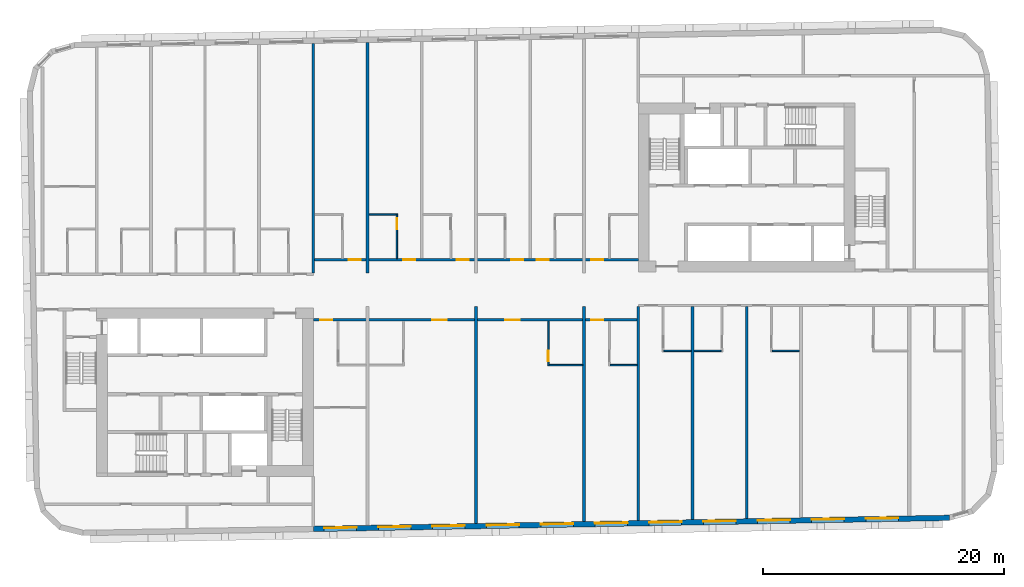
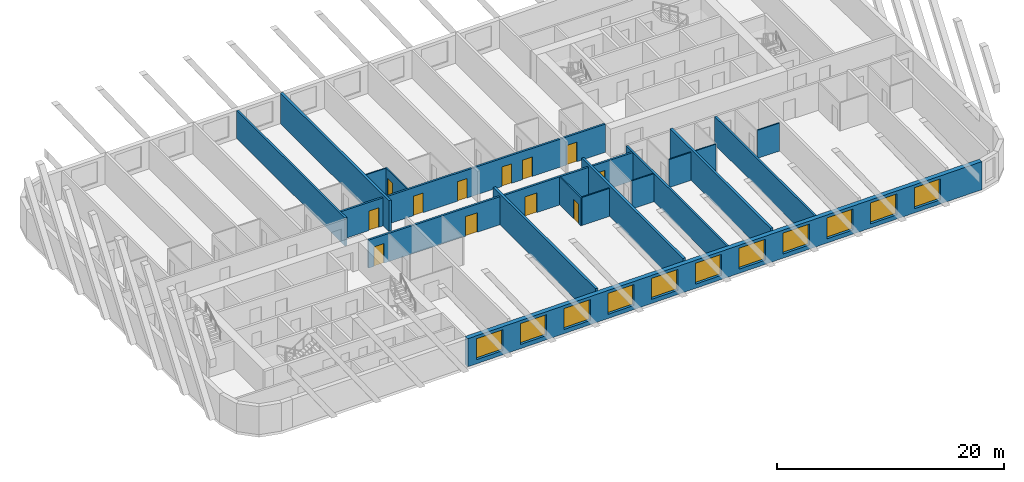
# One storey, part 4 of 13: 18 walls, 12 doors, 11 windows, 23 openings.
"""IFC4 building model written with IfcOpenShell, lengths in metres."""

import ifcopenshell
import ifcopenshell.guid

model = None  # the IFC model being written
_history = None  # IfcOwnerHistory: only IFC2X3 demands one
_inside = {}  # id of a spatial element -> (the spatial element, [elements in it])
_under = {}  # id of a project, library or spatial element -> (it, [spatial elements below it])
_declared = {}  # id of a project -> (the project, [libraries it declares])
_typed = {}  # id of a type object -> (the type object, [elements of that type])
_made_of = {}  # id of a material, layer set ... -> (it, [elements and type objects made of it])


def new_model(schema):
    """Start an empty IFC model of exactly this schema.

    Asked for "IFC4X3", IfcOpenShell would pick the latest addendum, in which some entities
    have other attributes; the version numbers below select the first issue.
    IFC2X3 requires an IfcOwnerHistory on every rooted entity: one is made here for all.
    """
    global model, _history
    if schema == "IFC4X3":
        model = ifcopenshell.file(schema_version=(4, 3, 0, 0))
    else:
        model = ifcopenshell.file(schema=schema)
    _inside.clear()
    _under.clear()
    _declared.clear()
    _typed.clear()
    _made_of.clear()
    _history = None
    if model.schema == "IFC2X3":
        org = make("IfcOrganization", Name="unknown")
        user = make(
            "IfcPersonAndOrganization",
            ThePerson=make("IfcPerson", FamilyName="unknown"),
            TheOrganization=org,
        )
        app = make(
            "IfcApplication",
            ApplicationDeveloper=org,
            Version="unknown",
            ApplicationFullName="unknown",
            ApplicationIdentifier="unknown",
        )
        _history = make(
            "IfcOwnerHistory",
            OwningUser=user,
            OwningApplication=app,
            ChangeAction="ADDED",
            CreationDate=0,
        )
    return model


def make(cls, **values):
    """One entity of the class cls with the attributes given. An attribute that is None is left unset."""
    return model.create_entity(
        cls, **{name: value for name, value in values.items() if value is not None}
    )


def rooted(cls, **values):
    """An entity with a GlobalId (a new one), such as an element, a storey or a relation."""
    return make(cls, GlobalId=ifcopenshell.guid.new(), OwnerHistory=_history, **values)


def si_unit(unit_type, name, prefix=None):
    """IfcSIUnit, for example si_unit("LENGTHUNIT", "METRE", prefix="MILLI")."""
    return make("IfcSIUnit", UnitType=unit_type, Prefix=prefix, Name=name)


def assignment(units):
    """IfcUnitAssignment: the units of a project."""
    return None if units is None else make("IfcUnitAssignment", Units=units)


def point(xyz):
    """IfcCartesianPoint."""
    return None if xyz is None else make("IfcCartesianPoint", Coordinates=xyz)


def direction(xyz):
    """IfcDirection."""
    return None if xyz is None else make("IfcDirection", DirectionRatios=xyz)


def frame(location, z_axis=None, x_axis=None):
    """IfcAxis2Placement3D, a coordinate frame: its origin and axes. An axis left out is left unset."""
    return make(
        "IfcAxis2Placement3D",
        Location=point(location),
        Axis=direction(z_axis),
        RefDirection=direction(x_axis),
    )


def frame_2d(location, x_axis=None):
    """IfcAxis2Placement2D, a coordinate frame in the plane: its origin and x axis."""
    return make(
        "IfcAxis2Placement2D", Location=point(location), RefDirection=direction(x_axis)
    )


def origin():
    """The frame at (0, 0, 0) with its axes left unset."""
    return frame((0.0, 0.0, 0.0))


def place(relative_to, where):
    """IfcLocalPlacement: puts the frame where relative to a parent placement (None: the world)."""
    return make(
        "IfcLocalPlacement", PlacementRelTo=relative_to, RelativePlacement=where
    )


def context(
    kind, dimensions, precision=None, world=None, true_north=None, identifier=None
):
    """IfcGeometricRepresentationContext, for example the 3D "Model" context."""
    return make(
        "IfcGeometricRepresentationContext",
        ContextIdentifier=identifier,
        ContextType=kind,
        CoordinateSpaceDimension=dimensions,
        Precision=precision,
        WorldCoordinateSystem=world,
        TrueNorth=true_north,
    )


def subcontext(parent, identifier, kind, view, scale=None):
    """IfcGeometricRepresentationSubContext, for example "Body" below "Model"."""
    return make(
        "IfcGeometricRepresentationSubContext",
        ContextIdentifier=identifier,
        ContextType=kind,
        ParentContext=parent,
        TargetScale=scale,
        TargetView=view,
    )


def project(units=None, contexts=None):
    """IfcProject with its units and contexts."""
    return rooted(
        "IfcProject",
        Name="project",
        RepresentationContexts=contexts,
        UnitsInContext=assignment(units),
    )


def spatial(cls, under=None, at=None, **own):
    """A site, building, storey or space (cls), placed at a placement, below another one or the project."""
    s = rooted(cls, ObjectPlacement=at, **own)
    if under is not None:
        _under.setdefault(under.id(), (under, []))[1].append(s)
    return s


def profile(cls, at=None, kind="AREA", **sizes):
    """A parametric profile (cls). Its sizes go by their IFC names, for example OverallWidth=200.0."""
    return make(cls, ProfileType=kind, Position=at, **sizes)


def rectangle(**sizes):
    """IfcRectangleProfileDef."""
    return profile("IfcRectangleProfileDef", **sizes)


def extrude(swept, where, along, depth):
    """IfcExtrudedAreaSolid: the profile swept, set in the frame where, extruded along a direction by depth."""
    return make(
        "IfcExtrudedAreaSolid",
        SweptArea=swept,
        Position=where,
        ExtrudedDirection=direction(along),
        Depth=depth,
    )


def shape(context_of_items, identifier, shape_type, items):
    """IfcShapeRepresentation: the items that make up one representation, for example the "Body"."""
    return make(
        "IfcShapeRepresentation",
        ContextOfItems=context_of_items,
        RepresentationIdentifier=identifier,
        RepresentationType=shape_type,
        Items=items,
    )


def material(Name=None, Category=None):
    """IfcMaterial."""
    return make("IfcMaterial", Name=Name, Category=Category)


def layer(
    of_material, thickness, ventilated=None, Name=None, Category=None, Priority=None
):
    """IfcMaterialLayer: one layer of a wall or slab, of a material (None: an air gap)."""
    return make(
        "IfcMaterialLayer",
        Material=of_material,
        LayerThickness=thickness,
        IsVentilated=ventilated,
        Name=Name,
        Category=Category,
        Priority=Priority,
    )


def layer_set(layers, Name=None):
    """IfcMaterialLayerSet."""
    return make("IfcMaterialLayerSet", MaterialLayers=layers, LayerSetName=Name)


def made_of(thing, what):
    """Note that an element or type object is made of a material, layer set ...; save() writes the relation."""
    if what is not None:
        _made_of.setdefault(what.id(), (what, []))[1].append(thing)
    return thing


def type_object(cls, material=None, **own):
    """A type object (cls), such as IfcWallType, which elements share."""
    return made_of(rooted(cls, **own), material)


def element(
    cls,
    number,
    at=None,
    inside=None,
    cuts=None,
    type_object=None,
    material=None,
    context=None,
    identifier="Body",
    shape_type=None,
    held_by="IfcProductDefinitionShape",
    body=None,
    shapes=None,
    **own,
):
    """One element of the class cls, such as IfcWall. Its Tag is "e" and its number.

    at: its placement. inside: the storey or other place that contains it. cuts: it is an
    opening in that element (IfcRelVoidsElement). A single representation is given by context,
    identifier, shape_type and body (its items); several are given by shapes. held_by: the class
    of the entity that holds the representations. save() writes the other relations.
    """
    e = rooted(cls, Tag="e%d" % number, ObjectPlacement=at, **own)
    if body is not None:
        shapes = [shape(context, identifier, shape_type, body)]
    if shapes is not None:
        e.Representation = make(held_by, Representations=shapes)
    if inside is not None:
        _inside.setdefault(inside.id(), (inside, []))[1].append(e)
    if cuts is not None:
        rooted(
            "IfcRelVoidsElement", RelatingBuildingElement=cuts, RelatedOpeningElement=e
        )
    if type_object is not None:
        _typed.setdefault(type_object.id(), (type_object, []))[1].append(e)
    return made_of(e, material)


def fill(opening, filler):
    """IfcRelFillsElement: the door or window that sits in an opening."""
    return rooted(
        "IfcRelFillsElement",
        RelatingOpeningElement=opening,
        RelatedBuildingElement=filler,
    )


def aggregate(whole, parts):
    """IfcRelAggregates: a whole, such as a stair, and the parts it consists of."""
    return rooted("IfcRelAggregates", RelatingObject=whole, RelatedObjects=parts)


def save(model, path):
    """Write the relations noted so far, then the file.

    IfcRelAggregates (storeys below a building ...), IfcRelContainedInSpatialStructure (elements
    in a storey), IfcRelDefinesByType, IfcRelAssociatesMaterial and IfcRelDeclares: one each for
    every whole, place, type object, material and project.
    """
    for whole, parts in _under.values():
        aggregate(whole, parts)
    for where, things in _inside.values():
        rooted(
            "IfcRelContainedInSpatialStructure",
            RelatedElements=things,
            RelatingStructure=where,
        )
    for kind, things in _typed.values():
        rooted("IfcRelDefinesByType", RelatedObjects=things, RelatingType=kind)
    for what, things in _made_of.values():
        rooted("IfcRelAssociatesMaterial", RelatedObjects=things, RelatingMaterial=what)
    for by, libraries in _declared.values():
        rooted("IfcRelDeclares", RelatingContext=by, RelatedDefinitions=libraries)
    model.write(path)


model = new_model("IFC4")

# Units and contexts
model_context = context("Model", 3, precision=1e-05, world=origin(), true_north=direction((0.0, 1.0)))
body_context = subcontext(model_context, "Body", "Model", "MODEL_VIEW")
ifc_project = project(units=[si_unit("LENGTHUNIT", "METRE"), si_unit("AREAUNIT", "SQUARE_METRE"), si_unit("VOLUMEUNIT", "CUBIC_METRE"), si_unit("PLANEANGLEUNIT", "RADIAN"), si_unit("MASSUNIT", "GRAM", prefix="KILO")], contexts=[model_context])

# Site, building, storey
site_placement = place(None, origin())
site = spatial("IfcSite", under=ifc_project, at=site_placement, CompositionType="ELEMENT")
building_placement = place(site_placement, origin())
building = spatial("IfcBuilding", under=site, at=building_placement, Name="Kajstack Hotel Tower", CompositionType="ELEMENT")
storey_placement = place(building_placement, frame((0.0, 0.0, 237.5)))
storey = spatial("IfcBuildingStorey", under=building, at=storey_placement, Name="L58", CompositionType="ELEMENT", Elevation=237.5)

# Wall, openings, doors
ifc_material_1 = material(Name="Gypsum board on steel studs, mineral wool", Category="steel")
ifc_layer_1 = layer(ifc_material_1, 0.199951171875)
ifc_layer_set_1 = layer_set([ifc_layer_1], Name="Corridor wall 200")
wall_type_1 = type_object("IfcWallType", Name="Corridor wall 200", PredefinedType="PARTITIONING", material=ifc_layer_set_1)
wall_1_placement = place(storey_placement, frame((-13.5, 2.5, 0.0), z_axis=(0.0, 0.0, 1.0), x_axis=(1.0, 0.0, 0.0)))
wall_1 = element("IfcWall", 1, at=wall_1_placement, inside=storey, type_object=wall_type_1, Name="G-wall-L58-004", PredefinedType="PARTITIONING", context=body_context, shape_type="SweptSolid", body=[
    extrude(rectangle(XDim=27.0, YDim=0.199951171875, at=frame_2d((13.5, 0.0))), origin(), (0.0, 0.0, 1.0), 3.02001953125),
])
opening_1_placement = place(wall_1_placement, frame((2.925048828125, 0.0, 0.0)))
opening_1 = element("IfcOpeningElement", 2, at=opening_1_placement, cuts=wall_1, Name="Opening 58012", PredefinedType="OPENING", context=body_context, shape_type="SweptSolid", body=[
    extrude(rectangle(XDim=1.0, YDim=2.10009765625, at=frame_2d((0.5, 1.050048828125))), frame((0.0, 0.10986328125, 0.0), z_axis=(0.0, -1.0, 0.0), x_axis=(1.0, 0.0, 0.0)), (0.0, 0.0, 1.0), 0.219970703125),
])
opening_2_placement = place(wall_1_placement, frame((7.449951171875, 0.0, 0.0)))
opening_2 = element("IfcOpeningElement", 3, at=opening_2_placement, cuts=wall_1, Name="Opening 58014", PredefinedType="OPENING", context=body_context, shape_type="SweptSolid", body=[
    extrude(rectangle(XDim=1.0, YDim=2.10009765625, at=frame_2d((0.5, 1.050048828125))), frame((0.0, 0.10986328125, 0.0), z_axis=(0.0, -1.0, 0.0), x_axis=(1.0, 0.0, 0.0)), (0.0, 0.0, 1.0), 0.219970703125),
])
opening_3_placement = place(wall_1_placement, frame((11.925048828125, 0.0, 0.0)))
opening_3 = element("IfcOpeningElement", 4, at=opening_3_placement, cuts=wall_1, Name="Opening 58016", PredefinedType="OPENING", context=body_context, shape_type="SweptSolid", body=[
    extrude(rectangle(XDim=1.0, YDim=2.10009765625, at=frame_2d((0.5, 1.050048828125))), frame((0.0, 0.10986328125, 0.0), z_axis=(0.0, -1.0, 0.0), x_axis=(1.0, 0.0, 0.0)), (0.0, 0.0, 1.0), 0.219970703125),
])
opening_4_placement = place(wall_1_placement, frame((16.449951171875, 0.0, 0.0)))
opening_4 = element("IfcOpeningElement", 5, at=opening_4_placement, cuts=wall_1, Name="Opening 58018", PredefinedType="OPENING", context=body_context, shape_type="SweptSolid", body=[
    extrude(rectangle(XDim=1.0, YDim=2.10009765625, at=frame_2d((0.5, 1.050048828125))), frame((0.0, 0.10986328125, 0.0), z_axis=(0.0, -1.0, 0.0), x_axis=(1.0, 0.0, 0.0)), (0.0, 0.0, 1.0), 0.219970703125),
])
opening_5_placement = place(wall_1_placement, frame((18.550048828125, 0.0, 0.0)))
opening_5 = element("IfcOpeningElement", 6, at=opening_5_placement, cuts=wall_1, Name="Opening 58020", PredefinedType="OPENING", context=body_context, shape_type="SweptSolid", body=[
    extrude(rectangle(XDim=1.0, YDim=2.10009765625, at=frame_2d((0.5, 1.050048828125))), frame((0.0, 0.10986328125, 0.0), z_axis=(0.0, -1.0, 0.0), x_axis=(1.0, 0.0, 0.0)), (0.0, 0.0, 1.0), 0.219970703125),
])
opening_6_placement = place(wall_1_placement, frame((23.074951171875, 0.0, 0.0)))
opening_6 = element("IfcOpeningElement", 7, at=opening_6_placement, cuts=wall_1, Name="Opening 58022", PredefinedType="OPENING", context=body_context, shape_type="SweptSolid", body=[
    extrude(rectangle(XDim=1.0, YDim=2.10009765625, at=frame_2d((0.5, 1.050048828125))), frame((0.0, 0.10986328125, 0.0), z_axis=(0.0, -1.0, 0.0), x_axis=(1.0, 0.0, 0.0)), (0.0, 0.0, 1.0), 0.219970703125),
])
ifc_material_2 = material(Name="Oak veneer on timber core, fire-rated leaf", Category="wood")
door_type_1 = type_object("IfcDoorType", Name="Flat entrance door 1000", OperationType="SINGLE_SWING_LEFT", PredefinedType="DOOR", material=ifc_material_2)
door_1_placement = place(opening_1_placement, origin())
door_1 = element("IfcDoor", 8, at=door_1_placement, inside=storey, type_object=door_type_1, Name="G-door-L58-12", OperationType="SINGLE_SWING_LEFT", OverallHeight=2.10009765625, OverallWidth=1.0, PredefinedType="DOOR", context=body_context, shape_type="SweptSolid", body=[
    extrude(rectangle(XDim=1.0, YDim=2.10009765625, at=frame_2d((0.5, 1.050048828125))), frame((0.0, 0.02490234375, 0.0), z_axis=(0.0, -1.0, 0.0), x_axis=(1.0, 0.0, 0.0)), (0.0, 0.0, 1.0), 0.050048828125),
])
fill(opening_1, door_1)
door_2_placement = place(opening_2_placement, origin())
door_2 = element("IfcDoor", 9, at=door_2_placement, inside=storey, type_object=door_type_1, Name="G-door-L58-14", OperationType="SINGLE_SWING_RIGHT", OverallHeight=2.10009765625, OverallWidth=1.0, PredefinedType="DOOR", context=body_context, shape_type="SweptSolid", body=[
    extrude(rectangle(XDim=1.0, YDim=2.10009765625, at=frame_2d((0.5, 1.050048828125))), frame((0.0, 0.02490234375, 0.0), z_axis=(0.0, -1.0, 0.0), x_axis=(1.0, 0.0, 0.0)), (0.0, 0.0, 1.0), 0.050048828125),
])
fill(opening_2, door_2)
door_3_placement = place(opening_3_placement, origin())
door_3 = element("IfcDoor", 10, at=door_3_placement, inside=storey, type_object=door_type_1, Name="G-door-L58-16", OperationType="SINGLE_SWING_LEFT", OverallHeight=2.10009765625, OverallWidth=1.0, PredefinedType="DOOR", context=body_context, shape_type="SweptSolid", body=[
    extrude(rectangle(XDim=1.0, YDim=2.10009765625, at=frame_2d((0.5, 1.050048828125))), frame((0.0, 0.02490234375, 0.0), z_axis=(0.0, -1.0, 0.0), x_axis=(1.0, 0.0, 0.0)), (0.0, 0.0, 1.0), 0.050048828125),
])
fill(opening_3, door_3)
door_4_placement = place(opening_4_placement, origin())
door_4 = element("IfcDoor", 11, at=door_4_placement, inside=storey, type_object=door_type_1, Name="G-door-L58-18", OperationType="SINGLE_SWING_RIGHT", OverallHeight=2.10009765625, OverallWidth=1.0, PredefinedType="DOOR", context=body_context, shape_type="SweptSolid", body=[
    extrude(rectangle(XDim=1.0, YDim=2.10009765625, at=frame_2d((0.5, 1.050048828125))), frame((0.0, 0.02490234375, 0.0), z_axis=(0.0, -1.0, 0.0), x_axis=(1.0, 0.0, 0.0)), (0.0, 0.0, 1.0), 0.050048828125),
])
fill(opening_4, door_4)
door_5_placement = place(opening_5_placement, origin())
door_5 = element("IfcDoor", 12, at=door_5_placement, inside=storey, type_object=door_type_1, Name="G-door-L58-20", OperationType="SINGLE_SWING_LEFT", OverallHeight=2.10009765625, OverallWidth=1.0, PredefinedType="DOOR", context=body_context, shape_type="SweptSolid", body=[
    extrude(rectangle(XDim=1.0, YDim=2.10009765625, at=frame_2d((0.5, 1.050048828125))), frame((0.0, 0.02490234375, 0.0), z_axis=(0.0, -1.0, 0.0), x_axis=(1.0, 0.0, 0.0)), (0.0, 0.0, 1.0), 0.050048828125),
])
fill(opening_5, door_5)
door_6_placement = place(opening_6_placement, origin())
door_6 = element("IfcDoor", 13, at=door_6_placement, inside=storey, type_object=door_type_1, Name="G-door-L58-22", OperationType="SINGLE_SWING_LEFT", OverallHeight=2.10009765625, OverallWidth=1.0, PredefinedType="DOOR", context=body_context, shape_type="SweptSolid", body=[
    extrude(rectangle(XDim=1.0, YDim=2.10009765625, at=frame_2d((0.5, 1.050048828125))), frame((0.0, 0.02490234375, 0.0), z_axis=(0.0, -1.0, 0.0), x_axis=(1.0, 0.0, 0.0)), (0.0, 0.0, 1.0), 0.050048828125),
])
fill(opening_6, door_6)

wall_2_placement = place(storey_placement, frame((-13.5, -2.5, 0.0), z_axis=(0.0, 0.0, 1.0), x_axis=(1.0, 0.0, 0.0)))
wall_2 = element("IfcWall", 14, at=wall_2_placement, inside=storey, type_object=wall_type_1, Name="G-wall-L58-033", PredefinedType="PARTITIONING", context=body_context, shape_type="SweptSolid", body=[
    extrude(rectangle(XDim=27.0, YDim=0.199951171875, at=frame_2d((13.5, 0.0))), origin(), (0.0, 0.0, 1.0), 3.02001953125),
])
opening_7_placement = place(wall_2_placement, frame((0.574951171875, 0.0, 0.0)))
opening_7 = element("IfcOpeningElement", 15, at=opening_7_placement, cuts=wall_2, Name="Opening 58024", PredefinedType="OPENING", context=body_context, shape_type="SweptSolid", body=[
    extrude(rectangle(XDim=1.0, YDim=2.10009765625, at=frame_2d((0.5, 1.050048828125))), frame((0.0, 0.10986328125, 0.0), z_axis=(0.0, -1.0, 0.0), x_axis=(1.0, 0.0, 0.0)), (0.0, 0.0, 1.0), 0.219970703125),
])
opening_8_placement = place(wall_2_placement, frame((9.863037109375, 0.0, 0.0)))
opening_8 = element("IfcOpeningElement", 16, at=opening_8_placement, cuts=wall_2, Name="Opening 58027", PredefinedType="OPENING", context=body_context, shape_type="SweptSolid", body=[
    extrude(rectangle(XDim=1.199951171875, YDim=2.10009765625, at=frame_2d((0.60009765625, 1.050048828125))), frame((0.0, 0.10986328125, 0.0), z_axis=(0.0, -1.0, 0.0), x_axis=(1.0, 0.0, 0.0)), (0.0, 0.0, 1.0), 0.219970703125),
])
opening_9_placement = place(wall_2_placement, frame((15.93798828125, 0.0, 0.0)))
opening_9 = element("IfcOpeningElement", 17, at=opening_9_placement, cuts=wall_2, Name="Opening 58029", PredefinedType="OPENING", context=body_context, shape_type="SweptSolid", body=[
    extrude(rectangle(XDim=1.199951171875, YDim=2.10009765625, at=frame_2d((0.60009765625, 1.050048828125))), frame((0.0, 0.10986328125, 0.0), z_axis=(0.0, -1.0, 0.0), x_axis=(1.0, 0.0, 0.0)), (0.0, 0.0, 1.0), 0.219970703125),
])
opening_10_placement = place(wall_2_placement, frame((23.074951171875, 0.0, 0.0)))
opening_10 = element("IfcOpeningElement", 18, at=opening_10_placement, cuts=wall_2, Name="Opening 58031", PredefinedType="OPENING", context=body_context, shape_type="SweptSolid", body=[
    extrude(rectangle(XDim=1.0, YDim=2.10009765625, at=frame_2d((0.5, 1.050048828125))), frame((0.0, 0.10986328125, 0.0), z_axis=(0.0, -1.0, 0.0), x_axis=(1.0, 0.0, 0.0)), (0.0, 0.0, 1.0), 0.219970703125),
])
door_7_placement = place(opening_7_placement, origin())
door_7 = element("IfcDoor", 19, at=door_7_placement, inside=storey, type_object=door_type_1, Name="G-door-L58-24", OperationType="SINGLE_SWING_RIGHT", OverallHeight=2.10009765625, OverallWidth=1.0, PredefinedType="DOOR", context=body_context, shape_type="SweptSolid", body=[
    extrude(rectangle(XDim=1.0, YDim=2.10009765625, at=frame_2d((0.5, 1.050048828125))), frame((0.0, 0.02490234375, 0.0), z_axis=(0.0, -1.0, 0.0), x_axis=(1.0, 0.0, 0.0)), (0.0, 0.0, 1.0), 0.050048828125),
])
fill(opening_7, door_7)
door_8_placement = place(opening_10_placement, origin())
door_8 = element("IfcDoor", 20, at=door_8_placement, inside=storey, type_object=door_type_1, Name="G-door-L58-31", OperationType="SINGLE_SWING_RIGHT", OverallHeight=2.10009765625, OverallWidth=1.0, PredefinedType="DOOR", context=body_context, shape_type="SweptSolid", body=[
    extrude(rectangle(XDim=1.0, YDim=2.10009765625, at=frame_2d((0.5, 1.050048828125))), frame((0.0, 0.02490234375, 0.0), z_axis=(0.0, -1.0, 0.0), x_axis=(1.0, 0.0, 0.0)), (0.0, 0.0, 1.0), 0.050048828125),
])
fill(opening_10, door_8)
door_type_2 = type_object("IfcDoorType", Name="Flat entrance door 1200", OperationType="SINGLE_SWING_LEFT", PredefinedType="DOOR", material=ifc_material_2)
door_9_placement = place(opening_8_placement, origin())
door_9 = element("IfcDoor", 21, at=door_9_placement, inside=storey, type_object=door_type_2, Name="G-door-L58-27", OperationType="SINGLE_SWING_LEFT", OverallHeight=2.10009765625, OverallWidth=1.199951171875, PredefinedType="DOOR", context=body_context, shape_type="SweptSolid", body=[
    extrude(rectangle(XDim=1.199951171875, YDim=2.10009765625, at=frame_2d((0.60009765625, 1.050048828125))), frame((0.0, 0.02490234375, 0.0), z_axis=(0.0, -1.0, 0.0), x_axis=(1.0, 0.0, 0.0)), (0.0, 0.0, 1.0), 0.050048828125),
])
fill(opening_8, door_9)
door_10_placement = place(opening_9_placement, origin())
door_10 = element("IfcDoor", 22, at=door_10_placement, inside=storey, type_object=door_type_2, Name="G-door-L58-29", OperationType="SINGLE_SWING_LEFT", OverallHeight=2.10009765625, OverallWidth=1.199951171875, PredefinedType="DOOR", context=body_context, shape_type="SweptSolid", body=[
    extrude(rectangle(XDim=1.199951171875, YDim=2.10009765625, at=frame_2d((0.60009765625, 1.050048828125))), frame((0.0, 0.02490234375, 0.0), z_axis=(0.0, -1.0, 0.0), x_axis=(1.0, 0.0, 0.0)), (0.0, 0.0, 1.0), 0.050048828125),
])
fill(opening_9, door_10)

# Walls
ifc_material_3 = material(Name="Twin-frame gypsum board on steel studs, mineral wool", Category="steel")
ifc_layer_2 = layer(ifc_material_3, 0.199951171875)
ifc_layer_set_2 = layer_set([ifc_layer_2], Name="Demising wall 200")
wall_type_2 = type_object("IfcWallType", Name="Demising wall 200", PredefinedType="PARTITIONING", material=ifc_layer_set_2)
wall_3_placement = place(storey_placement, frame((-13.5, 1.39990234375, 0.0), z_axis=(0.0, 0.0, 1.0), x_axis=(0.0, 1.0, 0.0)))
element("IfcWall", 23, at=wall_3_placement, inside=storey, type_object=wall_type_2, Name="G-wall-L58-016", PredefinedType="PARTITIONING", context=body_context, shape_type="SweptSolid", body=[
    extrude(rectangle(XDim=19.065185546875, YDim=0.199951171875, at=frame_2d((9.53271484375, 0.0))), origin(), (0.0, 0.0, 1.0), 3.02001953125),
])
wall_4_placement = place(storey_placement, frame((13.5, -19.169921875, 0.0), z_axis=(0.0, 0.0, 1.0), x_axis=(0.0, 1.0, 0.0)))
element("IfcWall", 24, at=wall_4_placement, inside=storey, type_object=wall_type_2, Name="G-wall-L58-042", PredefinedType="PARTITIONING", context=body_context, shape_type="SweptSolid", body=[
    extrude(rectangle(XDim=17.77001953125, YDim=0.199951171875, at=frame_2d((8.885009765625, 0.0))), origin(), (0.0, 0.0, 1.0), 3.02001953125),
])
wall_5_placement = place(storey_placement, frame((22.5, -19.012939453125, 0.0), z_axis=(0.0, 0.0, 1.0), x_axis=(0.0, 1.0, 0.0)))
element("IfcWall", 25, at=wall_5_placement, inside=storey, type_object=wall_type_2, Name="G-wall-L58-047", PredefinedType="PARTITIONING", context=body_context, shape_type="SweptSolid", body=[
    extrude(rectangle(XDim=17.613037109375, YDim=0.199951171875, at=frame_2d((8.806640625, 0.0))), origin(), (0.0, 0.0, 1.0), 3.02001953125),
])

# Wall, openings, windows
ifc_material_4 = material(Name="Terracotta-faced brick masonry", Category="masonry")
ifc_layer_3 = layer(ifc_material_4, 0.449951171875)
ifc_layer_set_3 = layer_set([ifc_layer_3], Name="EW-TERRA")
wall_type_3 = type_object("IfcWallType", Name="EW-TERRA", PredefinedType="SOLIDWALL", material=ifc_layer_set_3)
wall_6_placement = place(storey_placement, frame((-13.50390625, -19.8662109375, 0.0), z_axis=(0.0, 0.0, 1.0), x_axis=(0.999847672978, 0.017453676992, 0.0)))
wall_6 = element("IfcWall", 26, at=wall_6_placement, inside=storey, type_object=wall_type_3, Name="E-wall-L58-04-02", PredefinedType="SOLIDWALL", context=body_context, shape_type="SweptSolid", body=[
    extrude(rectangle(XDim=52.8603515625, YDim=0.449951171875, at=frame_2d((26.43017578125, 0.0))), origin(), (0.0, 0.0, 1.0), 3.02001953125),
])
opening_11_placement = place(wall_6_placement, frame((0.900390625, 0.0, 0.449951171875)))
opening_11 = element("IfcOpeningElement", 27, at=opening_11_placement, cuts=wall_6, Name="Opening W1", PredefinedType="OPENING", context=body_context, shape_type="SweptSolid", body=[
    extrude(rectangle(XDim=2.699951171875, YDim=2.25, at=frame_2d((1.35009765625, 1.125))), frame((0.0, 0.23486328125, 0.0), z_axis=(0.0, -1.0, 0.0), x_axis=(1.0, 0.0, 0.0)), (0.0, 0.0, 1.0), 0.469970703125),
])
opening_12_placement = place(wall_6_placement, frame((5.40087890625, 0.0, 0.449951171875)))
opening_12 = element("IfcOpeningElement", 28, at=opening_12_placement, cuts=wall_6, Name="Opening W1", PredefinedType="OPENING", context=body_context, shape_type="SweptSolid", body=[
    extrude(rectangle(XDim=2.699951171875, YDim=2.25, at=frame_2d((1.35009765625, 1.125))), frame((0.0, 0.23486328125, 0.0), z_axis=(0.0, -1.0, 0.0), x_axis=(1.0, 0.0, 0.0)), (0.0, 0.0, 1.0), 0.469970703125),
])
opening_13_placement = place(wall_6_placement, frame((9.901611328125, 0.0, 0.449951171875)))
opening_13 = element("IfcOpeningElement", 29, at=opening_13_placement, cuts=wall_6, Name="Opening W1", PredefinedType="OPENING", context=body_context, shape_type="SweptSolid", body=[
    extrude(rectangle(XDim=2.699951171875, YDim=2.25, at=frame_2d((1.35009765625, 1.125))), frame((0.0, 0.23486328125, 0.0), z_axis=(0.0, -1.0, 0.0), x_axis=(1.0, 0.0, 0.0)), (0.0, 0.0, 1.0), 0.469970703125),
])
opening_14_placement = place(wall_6_placement, frame((14.40234375, 0.0, 0.449951171875)))
opening_14 = element("IfcOpeningElement", 30, at=opening_14_placement, cuts=wall_6, Name="Opening W1", PredefinedType="OPENING", context=body_context, shape_type="SweptSolid", body=[
    extrude(rectangle(XDim=2.699951171875, YDim=2.25, at=frame_2d((1.35009765625, 1.125))), frame((0.0, 0.23486328125, 0.0), z_axis=(0.0, -1.0, 0.0), x_axis=(1.0, 0.0, 0.0)), (0.0, 0.0, 1.0), 0.469970703125),
])
opening_15_placement = place(wall_6_placement, frame((18.903076171875, 0.0, 0.449951171875)))
opening_15 = element("IfcOpeningElement", 31, at=opening_15_placement, cuts=wall_6, Name="Opening W1", PredefinedType="OPENING", context=body_context, shape_type="SweptSolid", body=[
    extrude(rectangle(XDim=2.699951171875, YDim=2.25, at=frame_2d((1.35009765625, 1.125))), frame((0.0, 0.23486328125, 0.0), z_axis=(0.0, -1.0, 0.0), x_axis=(1.0, 0.0, 0.0)), (0.0, 0.0, 1.0), 0.469970703125),
])
opening_16_placement = place(wall_6_placement, frame((23.40380859375, 0.0, 0.449951171875)))
opening_16 = element("IfcOpeningElement", 32, at=opening_16_placement, cuts=wall_6, Name="Opening W1", PredefinedType="OPENING", context=body_context, shape_type="SweptSolid", body=[
    extrude(rectangle(XDim=2.699951171875, YDim=2.25, at=frame_2d((1.35009765625, 1.125))), frame((0.0, 0.23486328125, 0.0), z_axis=(0.0, -1.0, 0.0), x_axis=(1.0, 0.0, 0.0)), (0.0, 0.0, 1.0), 0.469970703125),
])
opening_17_placement = place(wall_6_placement, frame((27.904296875, 0.0, 0.449951171875)))
opening_17 = element("IfcOpeningElement", 33, at=opening_17_placement, cuts=wall_6, Name="Opening W1", PredefinedType="OPENING", context=body_context, shape_type="SweptSolid", body=[
    extrude(rectangle(XDim=2.699951171875, YDim=2.25, at=frame_2d((1.35009765625, 1.125))), frame((0.0, 0.23486328125, 0.0), z_axis=(0.0, -1.0, 0.0), x_axis=(1.0, 0.0, 0.0)), (0.0, 0.0, 1.0), 0.469970703125),
])
opening_18_placement = place(wall_6_placement, frame((32.405029296875, 0.0, 0.449951171875)))
opening_18 = element("IfcOpeningElement", 34, at=opening_18_placement, cuts=wall_6, Name="Opening W1", PredefinedType="OPENING", context=body_context, shape_type="SweptSolid", body=[
    extrude(rectangle(XDim=2.699951171875, YDim=2.25, at=frame_2d((1.35009765625, 1.125))), frame((0.0, 0.23486328125, 0.0), z_axis=(0.0, -1.0, 0.0), x_axis=(1.0, 0.0, 0.0)), (0.0, 0.0, 1.0), 0.469970703125),
])
opening_19_placement = place(wall_6_placement, frame((36.90576171875, 0.0, 0.449951171875)))
opening_19 = element("IfcOpeningElement", 35, at=opening_19_placement, cuts=wall_6, Name="Opening W1", PredefinedType="OPENING", context=body_context, shape_type="SweptSolid", body=[
    extrude(rectangle(XDim=2.699951171875, YDim=2.25, at=frame_2d((1.35009765625, 1.125))), frame((0.0, 0.23486328125, 0.0), z_axis=(0.0, -1.0, 0.0), x_axis=(1.0, 0.0, 0.0)), (0.0, 0.0, 1.0), 0.469970703125),
])
opening_20_placement = place(wall_6_placement, frame((41.406494140625, 0.0, 0.449951171875)))
opening_20 = element("IfcOpeningElement", 36, at=opening_20_placement, cuts=wall_6, Name="Opening W1", PredefinedType="OPENING", context=body_context, shape_type="SweptSolid", body=[
    extrude(rectangle(XDim=2.699951171875, YDim=2.25, at=frame_2d((1.35009765625, 1.125))), frame((0.0, 0.23486328125, 0.0), z_axis=(0.0, -1.0, 0.0), x_axis=(1.0, 0.0, 0.0)), (0.0, 0.0, 1.0), 0.469970703125),
])
opening_21_placement = place(wall_6_placement, frame((45.9072265625, 0.0, 0.449951171875)))
opening_21 = element("IfcOpeningElement", 37, at=opening_21_placement, cuts=wall_6, Name="Opening W1", PredefinedType="OPENING", context=body_context, shape_type="SweptSolid", body=[
    extrude(rectangle(XDim=2.699951171875, YDim=2.25, at=frame_2d((1.35009765625, 1.125))), frame((0.0, 0.23486328125, 0.0), z_axis=(0.0, -1.0, 0.0), x_axis=(1.0, 0.0, 0.0)), (0.0, 0.0, 1.0), 0.469970703125),
])
ifc_material_5 = material(Name="Timber-aluminium window, triple glazed", Category="wood")
window_type = type_object("IfcWindowType", Name="WG1", PartitioningType="SINGLE_PANEL", PredefinedType="WINDOW", material=ifc_material_5)
window_1_placement = place(opening_11_placement, origin())
window_1 = element("IfcWindow", 38, at=window_1_placement, inside=storey, type_object=window_type, Name="Window W1 L58-04", OverallHeight=2.25, OverallWidth=2.699951171875, PartitioningType="SINGLE_PANEL", PredefinedType="WINDOW", context=body_context, shape_type="SweptSolid", body=[
    extrude(rectangle(XDim=2.699951171875, YDim=2.25, at=frame_2d((1.35009765625, 1.125))), frame((0.0, 0.090087890625, 0.0), z_axis=(0.0, -1.0, 0.0), x_axis=(1.0, 0.0, 0.0)), (0.0, 0.0, 1.0), 0.06005859375),
])
fill(opening_11, window_1)
window_2_placement = place(opening_12_placement, origin())
window_2 = element("IfcWindow", 39, at=window_2_placement, inside=storey, type_object=window_type, Name="Window W1 L58-04", OverallHeight=2.25, OverallWidth=2.699951171875, PartitioningType="SINGLE_PANEL", PredefinedType="WINDOW", context=body_context, shape_type="SweptSolid", body=[
    extrude(rectangle(XDim=2.699951171875, YDim=2.25, at=frame_2d((1.35009765625, 1.125))), frame((0.0, 0.090087890625, 0.0), z_axis=(0.0, -1.0, 0.0), x_axis=(1.0, 0.0, 0.0)), (0.0, 0.0, 1.0), 0.06005859375),
])
fill(opening_12, window_2)
window_3_placement = place(opening_13_placement, origin())
window_3 = element("IfcWindow", 40, at=window_3_placement, inside=storey, type_object=window_type, Name="Window W1 L58-04", OverallHeight=2.25, OverallWidth=2.699951171875, PartitioningType="SINGLE_PANEL", PredefinedType="WINDOW", context=body_context, shape_type="SweptSolid", body=[
    extrude(rectangle(XDim=2.699951171875, YDim=2.25, at=frame_2d((1.35009765625, 1.125))), frame((0.0, 0.090087890625, 0.0), z_axis=(0.0, -1.0, 0.0), x_axis=(1.0, 0.0, 0.0)), (0.0, 0.0, 1.0), 0.06005859375),
])
fill(opening_13, window_3)
window_4_placement = place(opening_14_placement, origin())
window_4 = element("IfcWindow", 41, at=window_4_placement, inside=storey, type_object=window_type, Name="Window W1 L58-04", OverallHeight=2.25, OverallWidth=2.699951171875, PartitioningType="SINGLE_PANEL", PredefinedType="WINDOW", context=body_context, shape_type="SweptSolid", body=[
    extrude(rectangle(XDim=2.699951171875, YDim=2.25, at=frame_2d((1.35009765625, 1.125))), frame((0.0, 0.090087890625, 0.0), z_axis=(0.0, -1.0, 0.0), x_axis=(1.0, 0.0, 0.0)), (0.0, 0.0, 1.0), 0.06005859375),
])
fill(opening_14, window_4)
window_5_placement = place(opening_15_placement, origin())
window_5 = element("IfcWindow", 42, at=window_5_placement, inside=storey, type_object=window_type, Name="Window W1 L58-04", OverallHeight=2.25, OverallWidth=2.699951171875, PartitioningType="SINGLE_PANEL", PredefinedType="WINDOW", context=body_context, shape_type="SweptSolid", body=[
    extrude(rectangle(XDim=2.699951171875, YDim=2.25, at=frame_2d((1.35009765625, 1.125))), frame((0.0, 0.090087890625, 0.0), z_axis=(0.0, -1.0, 0.0), x_axis=(1.0, 0.0, 0.0)), (0.0, 0.0, 1.0), 0.06005859375),
])
fill(opening_15, window_5)
window_6_placement = place(opening_16_placement, origin())
window_6 = element("IfcWindow", 43, at=window_6_placement, inside=storey, type_object=window_type, Name="Window W1 L58-04", OverallHeight=2.25, OverallWidth=2.699951171875, PartitioningType="SINGLE_PANEL", PredefinedType="WINDOW", context=body_context, shape_type="SweptSolid", body=[
    extrude(rectangle(XDim=2.699951171875, YDim=2.25, at=frame_2d((1.35009765625, 1.125))), frame((0.0, 0.090087890625, 0.0), z_axis=(0.0, -1.0, 0.0), x_axis=(1.0, 0.0, 0.0)), (0.0, 0.0, 1.0), 0.06005859375),
])
fill(opening_16, window_6)
window_7_placement = place(opening_17_placement, origin())
window_7 = element("IfcWindow", 44, at=window_7_placement, inside=storey, type_object=window_type, Name="Window W1 L58-04", OverallHeight=2.25, OverallWidth=2.699951171875, PartitioningType="SINGLE_PANEL", PredefinedType="WINDOW", context=body_context, shape_type="SweptSolid", body=[
    extrude(rectangle(XDim=2.699951171875, YDim=2.25, at=frame_2d((1.35009765625, 1.125))), frame((0.0, 0.090087890625, 0.0), z_axis=(0.0, -1.0, 0.0), x_axis=(1.0, 0.0, 0.0)), (0.0, 0.0, 1.0), 0.06005859375),
])
fill(opening_17, window_7)
window_8_placement = place(opening_18_placement, origin())
window_8 = element("IfcWindow", 45, at=window_8_placement, inside=storey, type_object=window_type, Name="Window W1 L58-04", OverallHeight=2.25, OverallWidth=2.699951171875, PartitioningType="SINGLE_PANEL", PredefinedType="WINDOW", context=body_context, shape_type="SweptSolid", body=[
    extrude(rectangle(XDim=2.699951171875, YDim=2.25, at=frame_2d((1.35009765625, 1.125))), frame((0.0, 0.090087890625, 0.0), z_axis=(0.0, -1.0, 0.0), x_axis=(1.0, 0.0, 0.0)), (0.0, 0.0, 1.0), 0.06005859375),
])
fill(opening_18, window_8)
window_9_placement = place(opening_19_placement, origin())
window_9 = element("IfcWindow", 46, at=window_9_placement, inside=storey, type_object=window_type, Name="Window W1 L58-04", OverallHeight=2.25, OverallWidth=2.699951171875, PartitioningType="SINGLE_PANEL", PredefinedType="WINDOW", context=body_context, shape_type="SweptSolid", body=[
    extrude(rectangle(XDim=2.699951171875, YDim=2.25, at=frame_2d((1.35009765625, 1.125))), frame((0.0, 0.090087890625, 0.0), z_axis=(0.0, -1.0, 0.0), x_axis=(1.0, 0.0, 0.0)), (0.0, 0.0, 1.0), 0.06005859375),
])
fill(opening_19, window_9)
window_10_placement = place(opening_20_placement, origin())
window_10 = element("IfcWindow", 47, at=window_10_placement, inside=storey, type_object=window_type, Name="Window W1 L58-04", OverallHeight=2.25, OverallWidth=2.699951171875, PartitioningType="SINGLE_PANEL", PredefinedType="WINDOW", context=body_context, shape_type="SweptSolid", body=[
    extrude(rectangle(XDim=2.699951171875, YDim=2.25, at=frame_2d((1.35009765625, 1.125))), frame((0.0, 0.090087890625, 0.0), z_axis=(0.0, -1.0, 0.0), x_axis=(1.0, 0.0, 0.0)), (0.0, 0.0, 1.0), 0.06005859375),
])
fill(opening_20, window_10)
window_11_placement = place(opening_21_placement, origin())
window_11 = element("IfcWindow", 48, at=window_11_placement, inside=storey, type_object=window_type, Name="Window W1 L58-04", OverallHeight=2.25, OverallWidth=2.699951171875, PartitioningType="SINGLE_PANEL", PredefinedType="WINDOW", context=body_context, shape_type="SweptSolid", body=[
    extrude(rectangle(XDim=2.699951171875, YDim=2.25, at=frame_2d((1.35009765625, 1.125))), frame((0.0, 0.090087890625, 0.0), z_axis=(0.0, -1.0, 0.0), x_axis=(1.0, 0.0, 0.0)), (0.0, 0.0, 1.0), 0.06005859375),
])
fill(opening_21, window_11)

# Wall, opening, door
ifc_material_6 = material(Name="Gypsum board and tiled backer on steel studs", Category="steel")
ifc_layer_4 = layer(ifc_material_6, 0.125)
ifc_layer_set_4 = layer_set([ifc_layer_4], Name="En-suite wall 125")
wall_type_4 = type_object("IfcWallType", Name="En-suite wall 125", PredefinedType="PARTITIONING", material=ifc_layer_set_4)
wall_7_placement = place(storey_placement, frame((-6.56201171875, 2.60009765625, 0.0), z_axis=(0.0, 0.0, 1.0), x_axis=(0.0, 1.0, 0.0)))
wall_7 = element("IfcWall", 49, at=wall_7_placement, inside=storey, type_object=wall_type_4, Name="G-wall-L58-022", PredefinedType="PARTITIONING", context=body_context, shape_type="SweptSolid", body=[
    extrude(rectangle(XDim=3.724853515625, YDim=0.125, at=frame_2d((1.8623046875, 0.0))), origin(), (0.0, 0.0, 1.0), 3.02001953125),
])
opening_22_placement = place(wall_7_placement, frame((2.449951171875, 0.0, 0.0)))
opening_22 = element("IfcOpeningElement", 50, at=opening_22_placement, cuts=wall_7, Name="Opening 58015", PredefinedType="OPENING", context=body_context, shape_type="SweptSolid", body=[
    extrude(rectangle(XDim=0.89990234375, YDim=2.10009765625, at=frame_2d((0.449951171875, 1.050048828125))), frame((0.0, 0.072509765625, 0.0), z_axis=(0.0, -1.0, 0.0), x_axis=(1.0, 0.0, 0.0)), (0.0, 0.0, 1.0), 0.14501953125),
])
ifc_material_7 = material(Name="Painted timber door leaf", Category="wood")
door_type_3 = type_object("IfcDoorType", Name="Room door 900", OperationType="SINGLE_SWING_LEFT", PredefinedType="DOOR", material=ifc_material_7)
door_11_placement = place(opening_22_placement, origin())
door_11 = element("IfcDoor", 51, at=door_11_placement, inside=storey, type_object=door_type_3, Name="G-door-L58-15", OperationType="SINGLE_SWING_LEFT", OverallHeight=2.10009765625, OverallWidth=0.89990234375, PredefinedType="DOOR", context=body_context, shape_type="SweptSolid", body=[
    extrude(rectangle(XDim=0.89990234375, YDim=2.10009765625, at=frame_2d((0.449951171875, 1.050048828125))), frame((0.0, 0.02490234375, 0.0), z_axis=(0.0, -1.0, 0.0), x_axis=(1.0, 0.0, 0.0)), (0.0, 0.0, 1.0), 0.050048828125),
])
fill(opening_22, door_11)

# Wall
wall_8_placement = place(storey_placement, frame((-8.875, 6.262939453125, 0.0), z_axis=(0.0, 0.0, 1.0), x_axis=(1.0, 0.0, 0.0)))
element("IfcWall", 52, at=wall_8_placement, inside=storey, type_object=wall_type_4, Name="G-wall-L58-023", PredefinedType="PARTITIONING", context=body_context, shape_type="SweptSolid", body=[
    extrude(rectangle(XDim=2.25, YDim=0.125, at=frame_2d((1.125, 0.0))), origin(), (0.0, 0.0, 1.0), 3.02001953125),
])

# Wall, opening, door
wall_9_placement = place(storey_placement, frame((6.012939453125, -6.324951171875, 0.0), z_axis=(0.0, 0.0, 1.0), x_axis=(0.0, 1.0, 0.0)))
wall_9 = element("IfcWall", 53, at=wall_9_placement, inside=storey, type_object=wall_type_4, Name="G-wall-L58-040", PredefinedType="PARTITIONING", context=body_context, shape_type="SweptSolid", body=[
    extrude(rectangle(XDim=3.724853515625, YDim=0.125, at=frame_2d((1.8623046875, 0.0))), origin(), (0.0, 0.0, 1.0), 3.02001953125),
])
opening_23_placement = place(wall_9_placement, frame((0.375, 0.0, 0.0)))
opening_23 = element("IfcOpeningElement", 54, at=opening_23_placement, cuts=wall_9, Name="Opening 58030", PredefinedType="OPENING", context=body_context, shape_type="SweptSolid", body=[
    extrude(rectangle(XDim=0.89990234375, YDim=2.10009765625, at=frame_2d((0.449951171875, 1.050048828125))), frame((0.0, 0.072509765625, 0.0), z_axis=(0.0, -1.0, 0.0), x_axis=(1.0, 0.0, 0.0)), (0.0, 0.0, 1.0), 0.14501953125),
])
door_12_placement = place(opening_23_placement, origin())
door_12 = element("IfcDoor", 55, at=door_12_placement, inside=storey, type_object=door_type_3, Name="G-door-L58-30", OperationType="SINGLE_SWING_RIGHT", OverallHeight=2.10009765625, OverallWidth=0.89990234375, PredefinedType="DOOR", context=body_context, shape_type="SweptSolid", body=[
    extrude(rectangle(XDim=0.89990234375, YDim=2.10009765625, at=frame_2d((0.449951171875, 1.050048828125))), frame((0.0, 0.02490234375, 0.0), z_axis=(0.0, -1.0, 0.0), x_axis=(1.0, 0.0, 0.0)), (0.0, 0.0, 1.0), 0.050048828125),
])
fill(opening_23, door_12)

# Walls
wall_10_placement = place(storey_placement, frame((6.074951171875, -6.262939453125, 0.0), z_axis=(0.0, 0.0, 1.0), x_axis=(1.0, 0.0, 0.0)))
element("IfcWall", 56, at=wall_10_placement, inside=storey, type_object=wall_type_4, Name="G-wall-L58-041", PredefinedType="PARTITIONING", context=body_context, shape_type="SweptSolid", body=[
    extrude(rectangle(XDim=2.800048828125, YDim=0.125, at=frame_2d((1.39990234375, 0.0))), origin(), (0.0, 0.0, 1.0), 3.02001953125),
])
for number, where, z_axis, x_axis, name in (
    (57, (11.14990234375, -6.262939453125, 0.0), (0.0, 0.0, 1.0), (1.0, 0.0, 0.0), "G-wall-L58-044"),
    (58, (15.625, -5.06201171875, 0.0), (0.0, 0.0, 1.0), (1.0, 0.0, 0.0), "G-wall-L58-046"),
    (59, (18.125, -5.06201171875, 0.0), (0.0, 0.0, 1.0), (1.0, 0.0, 0.0), "G-wall-L58-049"),
    (60, (24.625, -5.06201171875, 0.0), (0.0, 0.0, 1.0), (1.0, 0.0, 0.0), "G-wall-L58-051"),
):
    element("IfcWall", number, at=place(storey_placement, frame(where, z_axis=z_axis, x_axis=x_axis)), inside=storey, type_object=wall_type_4, Name=name, PredefinedType="PARTITIONING", context=body_context, shape_type="SweptSolid", body=[
        extrude(rectangle(XDim=2.25, YDim=0.125, at=frame_2d((1.125, 0.0))), origin(), (0.0, 0.0, 1.0), 3.02001953125),
    ])
ifc_material_8 = material(Name="Concrete C45/55", Category="concrete")
ifc_layer_5 = layer(ifc_material_8, 0.25)
ifc_layer_set_5 = layer_set([ifc_layer_5], Name="RC cross wall 250 C45/55")
wall_type_5 = type_object("IfcWallType", Name="RC cross wall 250 C45/55", PredefinedType="SHEAR", material=ifc_layer_set_5)
wall_11_placement = place(storey_placement, frame((-9.0, 1.39990234375, 0.0), z_axis=(0.0, 0.0, 1.0), x_axis=(0.0, 1.0, 0.0)))
element("IfcWall", 61, at=wall_11_placement, inside=storey, type_object=wall_type_5, Name="S-wall-L58-05", PredefinedType="SHEAR", context=body_context, shape_type="SweptSolid", body=[
    extrude(rectangle(XDim=19.131591796875, YDim=0.25, at=frame_2d((9.56591796875, 0.0))), origin(), (0.0, 0.0, 1.0), 3.300048828125),
])
wall_12_placement = place(storey_placement, frame((0.0, -19.393310546875, 0.0), z_axis=(0.0, 0.0, 1.0), x_axis=(0.0, 1.0, 0.0)))
element("IfcWall", 62, at=wall_12_placement, inside=storey, type_object=wall_type_5, Name="S-wall-L58-06", PredefinedType="SHEAR", context=body_context, shape_type="SweptSolid", body=[
    extrude(rectangle(XDim=17.993408203125, YDim=0.25, at=frame_2d((8.99658203125, 0.0))), origin(), (0.0, 0.0, 1.0), 3.300048828125),
])
wall_13_placement = place(storey_placement, frame((9.0, -19.236083984375, 0.0), z_axis=(0.0, 0.0, 1.0), x_axis=(0.0, 1.0, 0.0)))
element("IfcWall", 63, at=wall_13_placement, inside=storey, type_object=wall_type_5, Name="S-wall-L58-08", PredefinedType="SHEAR", context=body_context, shape_type="SweptSolid", body=[
    extrude(rectangle(XDim=17.836181640625, YDim=0.25, at=frame_2d((8.91796875, 0.0))), origin(), (0.0, 0.0, 1.0), 3.300048828125),
])
wall_14_placement = place(storey_placement, frame((18.0, -19.0791015625, 0.0), z_axis=(0.0, 0.0, 1.0), x_axis=(0.0, 1.0, 0.0)))
element("IfcWall", 64, at=wall_14_placement, inside=storey, type_object=wall_type_5, Name="S-wall-L58-10", PredefinedType="SHEAR", context=body_context, shape_type="SweptSolid", body=[
    extrude(rectangle(XDim=17.67919921875, YDim=0.25, at=frame_2d((8.839599609375, 0.0))), origin(), (0.0, 0.0, 1.0), 3.300048828125),
])

save(model, "model.ifc")
